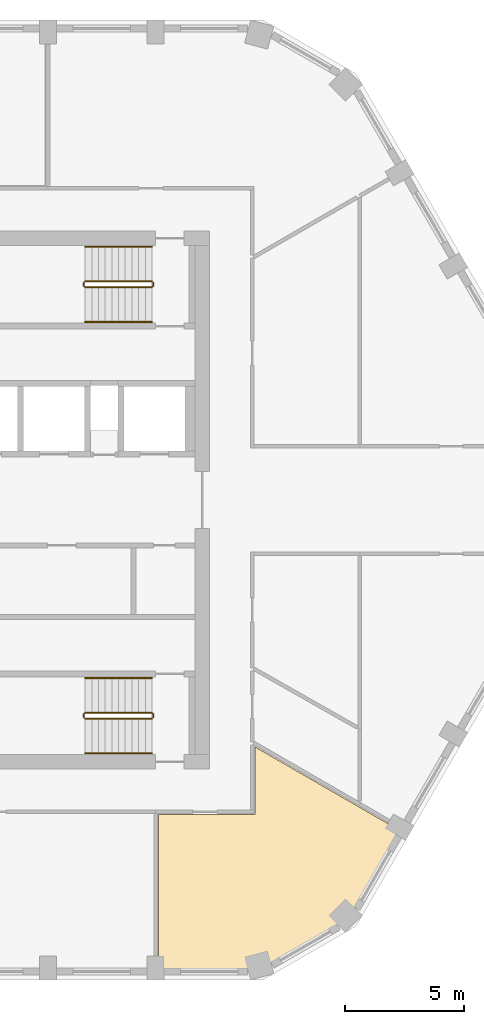
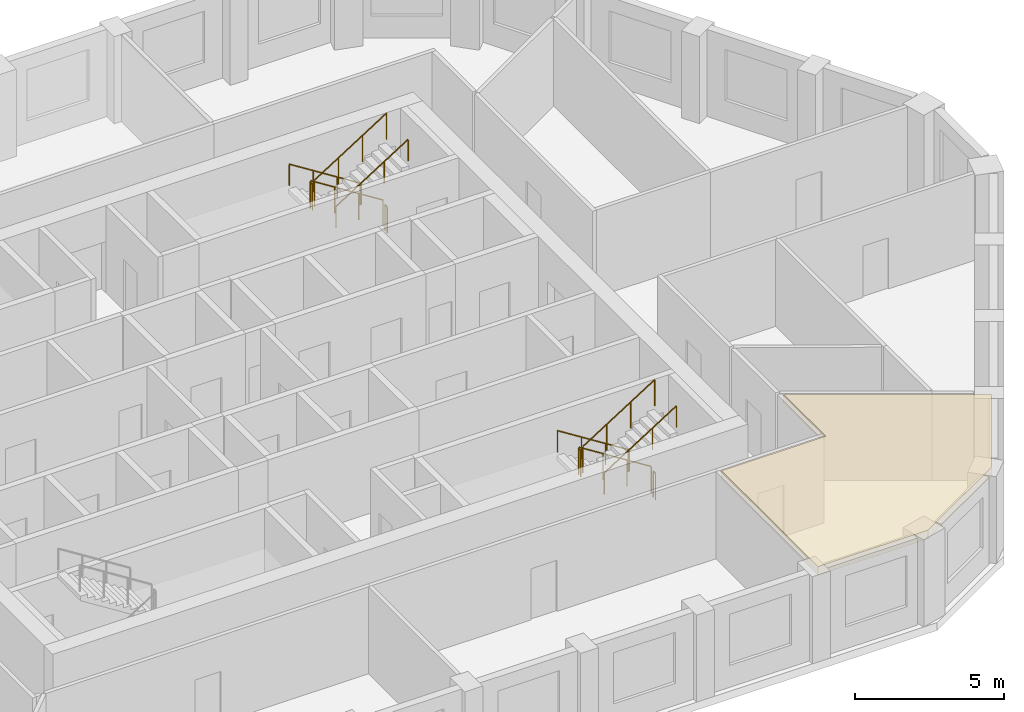
# One storey, part 9 of 10: 12 railings, 1 covering.
"""IFC4 building model written with IfcOpenShell, lengths in metres."""

from ifc_helpers import new_model, si_unit, direction, frame, origin, origin_2d, place, context, subcontext, project, spatial, polyline, circle, outline, extrude, material, layer, layer_set, type_object, element, save


model = new_model("IFC4")

# Units and contexts
model_context = context("Model", 3, precision=1e-05, world=origin(), true_north=direction((0.0, 1.0)))
body_context = subcontext(model_context, "Body", "Model", "MODEL_VIEW")
ifc_project = project(units=[si_unit("LENGTHUNIT", "METRE"), si_unit("AREAUNIT", "SQUARE_METRE"), si_unit("VOLUMEUNIT", "CUBIC_METRE"), si_unit("PLANEANGLEUNIT", "RADIAN"), si_unit("MASSUNIT", "GRAM", prefix="KILO")], contexts=[model_context])

# Site, building, storey
site_placement = place(None, origin())
site = spatial("IfcSite", under=ifc_project, at=site_placement, CompositionType="ELEMENT")
building_placement = place(site_placement, origin())
building = spatial("IfcBuilding", under=site, at=building_placement, Name="Dhurran Vertical Campus", CompositionType="ELEMENT")
storey_placement = place(building_placement, frame((0.0, 0.0, 250.800048828125)))
storey = spatial("IfcBuildingStorey", under=building, at=storey_placement, Name="L62", CompositionType="ELEMENT", Elevation=250.800048828125)

# Railings
ifc_material_1 = material(Name="Stainless steel balustrade", Category="steel")
railing_type_1 = type_object("IfcRailingType", Name="co-RL-GUARD-1100", PredefinedType="GUARDRAIL", material=ifc_material_1)
railing_1_placement = place(storey_placement, frame((11.10009765625, 9.14990234375, 0.17724609375)))
element("IfcRailing", 1, at=railing_1_placement, inside=storey, type_object=railing_type_1, Name="L62 ST2 stair guard 1", PredefinedType="GUARDRAIL", context=body_context, shape_type="SweptSolid", body=[
    extrude(circle(Radius=0.02392578125, at=origin_2d()), frame((0.0, 0.0, 1.076171875), z_axis=(-0.844908973607, 0.0, 0.534910110503), x_axis=(0.0, -1.0, 0.0)), (0.0, 0.0, 1.0), 3.31396484375),
    extrude(circle(Radius=0.02099609375, at=origin_2d()), origin(), (0.0, 0.0, 1.0), 1.052001953125),
    extrude(circle(Radius=0.02099609375, at=origin_2d()), frame((-0.933349609375, 0.0, 0.5908203125)), (0.0, 0.0, 1.0), 1.052001953125),
    extrude(circle(Radius=0.02099609375, at=origin_2d()), frame((-1.86669921875, 0.0, 1.181884765625)), (0.0, 0.0, 1.0), 1.052001953125),
    extrude(circle(Radius=0.02099609375, at=origin_2d()), frame((-2.800048828125, 0.0, 1.772705078125)), (0.0, 0.0, 1.0), 1.052001953125),
])
railing_2_placement = place(storey_placement, frame((8.25, 9.10009765625, 1.949951171875)))
element("IfcRailing", 2, at=railing_2_placement, inside=storey, type_object=railing_type_1, Name="L62 ST2 stair guard 2", PredefinedType="GUARDRAIL", context=body_context, shape_type="SweptSolid", body=[
    extrude(circle(Radius=0.02392578125, at=origin_2d()), frame((0.0, 0.0, 1.076171875), z_axis=(0.0, -1.0, 0.0), x_axis=(1.0, 0.0, 0.0)), (0.0, 0.0, 1.0), 0.150146484375),
    extrude(circle(Radius=0.02099609375, at=origin_2d()), origin(), (0.0, 0.0, 1.0), 1.052001953125),
    extrude(circle(Radius=0.02099609375, at=origin_2d()), frame((0.0, -0.150146484375, 0.0)), (0.0, 0.0, 1.0), 1.052001953125),
])
railing_3_placement = place(storey_placement, frame((8.300048828125, 8.89990234375, 2.127197265625)))
element("IfcRailing", 3, at=railing_3_placement, inside=storey, type_object=railing_type_1, Name="L62 ST2 stair guard 3", PredefinedType="GUARDRAIL", context=body_context, shape_type="SweptSolid", body=[
    extrude(circle(Radius=0.02392578125, at=origin_2d()), frame((0.0, 0.0, 1.076171875), z_axis=(0.844908973607, 0.0, 0.534910110503), x_axis=(0.0, 1.0, 0.0)), (0.0, 0.0, 1.0), 3.31396484375),
    extrude(circle(Radius=0.02099609375, at=origin_2d()), origin(), (0.0, 0.0, 1.0), 1.052001953125),
    extrude(circle(Radius=0.02099609375, at=origin_2d()), frame((0.933349609375, 0.0, 0.5908203125)), (0.0, 0.0, 1.0), 1.052001953125),
    extrude(circle(Radius=0.02099609375, at=origin_2d()), frame((1.86669921875, 0.0, 1.181884765625)), (0.0, 0.0, 1.0), 1.052001953125),
    extrude(circle(Radius=0.02099609375, at=origin_2d()), frame((2.800048828125, 0.0, 1.772705078125)), (0.0, 0.0, 1.0), 1.052001953125),
])
railing_4_placement = place(storey_placement, frame((11.14990234375, 9.10009765625, 0.0)))
element("IfcRailing", 4, at=railing_4_placement, inside=storey, type_object=railing_type_1, Name="L62 ST2 stair guard 4", PredefinedType="GUARDRAIL", context=body_context, shape_type="SweptSolid", body=[
    extrude(circle(Radius=0.02392578125, at=origin_2d()), frame((0.0, 0.0, 1.076171875), z_axis=(0.0, -1.0, 0.0), x_axis=(1.0, 0.0, 0.0)), (0.0, 0.0, 1.0), 0.150146484375),
    extrude(circle(Radius=0.02099609375, at=origin_2d()), origin(), (0.0, 0.0, 1.0), 1.052001953125),
    extrude(circle(Radius=0.02099609375, at=origin_2d()), frame((0.0, -0.150146484375, 0.0)), (0.0, 0.0, 1.0), 1.052001953125),
])
railing_5_placement = place(storey_placement, frame((11.10009765625, -8.89990234375, 0.17724609375)))
element("IfcRailing", 5, at=railing_5_placement, inside=storey, type_object=railing_type_1, Name="L62 ST4 stair guard 1", PredefinedType="GUARDRAIL", context=body_context, shape_type="SweptSolid", body=[
    extrude(circle(Radius=0.02392578125, at=origin_2d()), frame((0.0, 0.0, 1.076171875), z_axis=(-0.844908973607, 0.0, 0.534910110503), x_axis=(0.0, -1.0, 0.0)), (0.0, 0.0, 1.0), 3.31396484375),
    extrude(circle(Radius=0.02099609375, at=origin_2d()), origin(), (0.0, 0.0, 1.0), 1.052001953125),
    extrude(circle(Radius=0.02099609375, at=origin_2d()), frame((-0.933349609375, 0.0, 0.5908203125)), (0.0, 0.0, 1.0), 1.052001953125),
    extrude(circle(Radius=0.02099609375, at=origin_2d()), frame((-1.86669921875, 0.0, 1.181884765625)), (0.0, 0.0, 1.0), 1.052001953125),
    extrude(circle(Radius=0.02099609375, at=origin_2d()), frame((-2.800048828125, 0.0, 1.772705078125)), (0.0, 0.0, 1.0), 1.052001953125),
])
railing_6_placement = place(storey_placement, frame((8.25, -8.949951171875, 1.949951171875)))
element("IfcRailing", 6, at=railing_6_placement, inside=storey, type_object=railing_type_1, Name="L62 ST4 stair guard 2", PredefinedType="GUARDRAIL", context=body_context, shape_type="SweptSolid", body=[
    extrude(circle(Radius=0.02392578125, at=origin_2d()), frame((0.0, 0.0, 1.076171875), z_axis=(0.0, -1.0, 0.0), x_axis=(1.0, 0.0, 0.0)), (0.0, 0.0, 1.0), 0.150146484375),
    extrude(circle(Radius=0.02099609375, at=origin_2d()), origin(), (0.0, 0.0, 1.0), 1.052001953125),
    extrude(circle(Radius=0.02099609375, at=origin_2d()), frame((0.0, -0.150146484375, 0.0)), (0.0, 0.0, 1.0), 1.052001953125),
])
railing_7_placement = place(storey_placement, frame((8.300048828125, -9.14990234375, 2.127197265625)))
element("IfcRailing", 7, at=railing_7_placement, inside=storey, type_object=railing_type_1, Name="L62 ST4 stair guard 3", PredefinedType="GUARDRAIL", context=body_context, shape_type="SweptSolid", body=[
    extrude(circle(Radius=0.02392578125, at=origin_2d()), frame((0.0, 0.0, 1.076171875), z_axis=(0.844908973607, 0.0, 0.534910110503), x_axis=(0.0, 1.0, 0.0)), (0.0, 0.0, 1.0), 3.31396484375),
    extrude(circle(Radius=0.02099609375, at=origin_2d()), origin(), (0.0, 0.0, 1.0), 1.052001953125),
    extrude(circle(Radius=0.02099609375, at=origin_2d()), frame((0.933349609375, 0.0, 0.5908203125)), (0.0, 0.0, 1.0), 1.052001953125),
    extrude(circle(Radius=0.02099609375, at=origin_2d()), frame((1.86669921875, 0.0, 1.181884765625)), (0.0, 0.0, 1.0), 1.052001953125),
    extrude(circle(Radius=0.02099609375, at=origin_2d()), frame((2.800048828125, 0.0, 1.772705078125)), (0.0, 0.0, 1.0), 1.052001953125),
])
railing_8_placement = place(storey_placement, frame((11.14990234375, -8.949951171875, 0.0)))
element("IfcRailing", 8, at=railing_8_placement, inside=storey, type_object=railing_type_1, Name="L62 ST4 stair guard 4", PredefinedType="GUARDRAIL", context=body_context, shape_type="SweptSolid", body=[
    extrude(circle(Radius=0.02392578125, at=origin_2d()), frame((0.0, 0.0, 1.076171875), z_axis=(0.0, -1.0, 0.0), x_axis=(1.0, 0.0, 0.0)), (0.0, 0.0, 1.0), 0.150146484375),
    extrude(circle(Radius=0.02099609375, at=origin_2d()), origin(), (0.0, 0.0, 1.0), 1.052001953125),
    extrude(circle(Radius=0.02099609375, at=origin_2d()), frame((0.0, -0.150146484375, 0.0)), (0.0, 0.0, 1.0), 1.052001953125),
])
ifc_material_2 = material(Name="Stainless steel handrail", Category="steel")
railing_type_2 = type_object("IfcRailingType", Name="co-RL-HANDRAIL-900", PredefinedType="HANDRAIL", material=ifc_material_2)
railing_9_placement = place(storey_placement, frame((11.10009765625, 10.60009765625, 0.17724609375)))
element("IfcRailing", 9, at=railing_9_placement, inside=storey, type_object=railing_type_2, Name="L62 ST2 stair handrail 1", PredefinedType="HANDRAIL", context=body_context, shape_type="SweptSolid", body=[
    extrude(circle(Radius=0.02392578125, at=origin_2d()), frame((0.0, 0.0, 0.8759765625), z_axis=(-0.844908973607, 0.0, 0.534910110503), x_axis=(0.0, -1.0, 0.0)), (0.0, 0.0, 1.0), 3.31396484375),
    extrude(circle(Radius=0.02099609375, at=origin_2d()), origin(), (0.0, 0.0, 1.0), 0.851806640625),
    extrude(circle(Radius=0.02099609375, at=origin_2d()), frame((-0.933349609375, 0.0, 0.5908203125)), (0.0, 0.0, 1.0), 0.851806640625),
    extrude(circle(Radius=0.02099609375, at=origin_2d()), frame((-1.86669921875, 0.0, 1.181884765625)), (0.0, 0.0, 1.0), 0.851806640625),
    extrude(circle(Radius=0.02099609375, at=origin_2d()), frame((-2.800048828125, 0.0, 1.772705078125)), (0.0, 0.0, 1.0), 0.851806640625),
])
railing_10_placement = place(storey_placement, frame((8.300048828125, 7.449951171875, 2.127197265625)))
element("IfcRailing", 10, at=railing_10_placement, inside=storey, type_object=railing_type_2, Name="L62 ST2 stair handrail 2", PredefinedType="HANDRAIL", context=body_context, shape_type="SweptSolid", body=[
    extrude(circle(Radius=0.02392578125, at=origin_2d()), frame((0.0, 0.0, 0.8759765625), z_axis=(0.844908973607, 0.0, 0.534910110503), x_axis=(0.0, 1.0, 0.0)), (0.0, 0.0, 1.0), 3.31396484375),
    extrude(circle(Radius=0.02099609375, at=origin_2d()), origin(), (0.0, 0.0, 1.0), 0.851806640625),
    extrude(circle(Radius=0.02099609375, at=origin_2d()), frame((0.933349609375, 0.0, 0.5908203125)), (0.0, 0.0, 1.0), 0.851806640625),
    extrude(circle(Radius=0.02099609375, at=origin_2d()), frame((1.86669921875, 0.0, 1.181884765625)), (0.0, 0.0, 1.0), 0.851806640625),
    extrude(circle(Radius=0.02099609375, at=origin_2d()), frame((2.800048828125, 0.0, 1.772705078125)), (0.0, 0.0, 1.0), 0.851806640625),
])
railing_11_placement = place(storey_placement, frame((11.10009765625, -7.449951171875, 0.17724609375)))
element("IfcRailing", 11, at=railing_11_placement, inside=storey, type_object=railing_type_2, Name="L62 ST4 stair handrail 1", PredefinedType="HANDRAIL", context=body_context, shape_type="SweptSolid", body=[
    extrude(circle(Radius=0.02392578125, at=origin_2d()), frame((0.0, 0.0, 0.8759765625), z_axis=(-0.844908973607, 0.0, 0.534910110503), x_axis=(0.0, -1.0, 0.0)), (0.0, 0.0, 1.0), 3.31396484375),
    extrude(circle(Radius=0.02099609375, at=origin_2d()), origin(), (0.0, 0.0, 1.0), 0.851806640625),
    extrude(circle(Radius=0.02099609375, at=origin_2d()), frame((-0.933349609375, 0.0, 0.5908203125)), (0.0, 0.0, 1.0), 0.851806640625),
    extrude(circle(Radius=0.02099609375, at=origin_2d()), frame((-1.86669921875, 0.0, 1.181884765625)), (0.0, 0.0, 1.0), 0.851806640625),
    extrude(circle(Radius=0.02099609375, at=origin_2d()), frame((-2.800048828125, 0.0, 1.772705078125)), (0.0, 0.0, 1.0), 0.851806640625),
])
railing_12_placement = place(storey_placement, frame((8.300048828125, -10.60009765625, 2.127197265625)))
element("IfcRailing", 12, at=railing_12_placement, inside=storey, type_object=railing_type_2, Name="L62 ST4 stair handrail 2", PredefinedType="HANDRAIL", context=body_context, shape_type="SweptSolid", body=[
    extrude(circle(Radius=0.02392578125, at=origin_2d()), frame((0.0, 0.0, 0.8759765625), z_axis=(0.844908973607, 0.0, 0.534910110503), x_axis=(0.0, 1.0, 0.0)), (0.0, 0.0, 1.0), 3.31396484375),
    extrude(circle(Radius=0.02099609375, at=origin_2d()), origin(), (0.0, 0.0, 1.0), 0.851806640625),
    extrude(circle(Radius=0.02099609375, at=origin_2d()), frame((0.933349609375, 0.0, 0.5908203125)), (0.0, 0.0, 1.0), 0.851806640625),
    extrude(circle(Radius=0.02099609375, at=origin_2d()), frame((1.86669921875, 0.0, 1.181884765625)), (0.0, 0.0, 1.0), 0.851806640625),
    extrude(circle(Radius=0.02099609375, at=origin_2d()), frame((2.800048828125, 0.0, 1.772705078125)), (0.0, 0.0, 1.0), 0.851806640625),
])

# Covering
ifc_material_3 = material(Name="Mineral fibre ceiling tiles on suspended grid")
ifc_layer = layer(ifc_material_3, 0.35009765625)
ifc_layer_set = layer_set([ifc_layer], Name="Mineral fibre ceiling tiles on suspended grid")
covering_type = type_object("IfcCoveringType", Name="fl-CE-350 suspended ceiling", PredefinedType="CEILING", material=ifc_layer_set)
covering_placement = place(storey_placement, frame((0.0, 0.0, 3.224853515625)))
element("IfcCovering", 13, at=covering_placement, inside=storey, type_object=covering_type, Name="Ceiling 62-10", PredefinedType="CEILING", context=body_context, shape_type="SweptSolid", body=[
    extrude(outline(polyline([(21.472900390625, -13.8349609375), (19.339111328125, -17.531005859375), (15.637939453125, -19.66796875), (11.3701171875, -19.66796875), (11.3701171875, -13.169921875), (15.419921875, -13.169921875), (15.419921875, -10.340087890625), (21.472900390625, -13.8349609375)])), origin(), (0.0, 0.0, 1.0), 0.35009765625),
])

save(model, "model.ifc")
